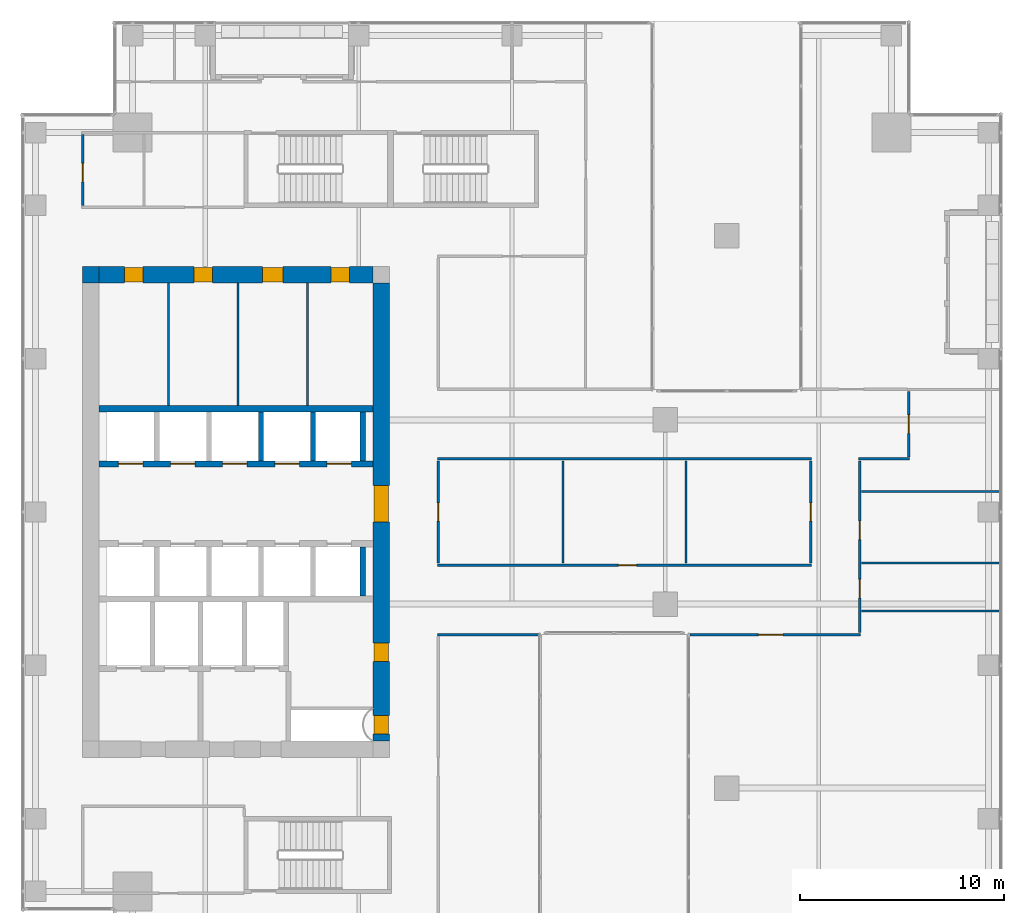
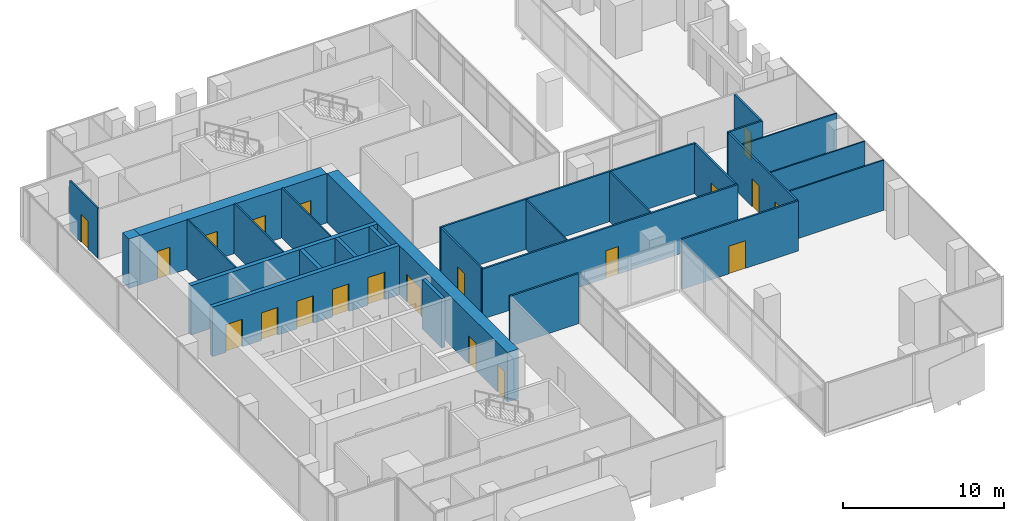
# One storey, part 35 of 40: 27 walls, 20 doors, 20 openings.
"""IFC4 building model written with IfcOpenShell, lengths in metres."""

import ifcopenshell
import ifcopenshell.guid

model = None  # the IFC model being written
_history = None  # IfcOwnerHistory: only IFC2X3 demands one
_inside = {}  # id of a spatial element -> (the spatial element, [elements in it])
_under = {}  # id of a project, library or spatial element -> (it, [spatial elements below it])
_declared = {}  # id of a project -> (the project, [libraries it declares])
_typed = {}  # id of a type object -> (the type object, [elements of that type])
_made_of = {}  # id of a material, layer set ... -> (it, [elements and type objects made of it])


def new_model(schema):
    """Start an empty IFC model of exactly this schema.

    Asked for "IFC4X3", IfcOpenShell would pick the latest addendum, in which some entities
    have other attributes; the version numbers below select the first issue.
    IFC2X3 requires an IfcOwnerHistory on every rooted entity: one is made here for all.
    """
    global model, _history
    if schema == "IFC4X3":
        model = ifcopenshell.file(schema_version=(4, 3, 0, 0))
    else:
        model = ifcopenshell.file(schema=schema)
    _inside.clear()
    _under.clear()
    _declared.clear()
    _typed.clear()
    _made_of.clear()
    _history = None
    if model.schema == "IFC2X3":
        org = make("IfcOrganization", Name="unknown")
        user = make(
            "IfcPersonAndOrganization",
            ThePerson=make("IfcPerson", FamilyName="unknown"),
            TheOrganization=org,
        )
        app = make(
            "IfcApplication",
            ApplicationDeveloper=org,
            Version="unknown",
            ApplicationFullName="unknown",
            ApplicationIdentifier="unknown",
        )
        _history = make(
            "IfcOwnerHistory",
            OwningUser=user,
            OwningApplication=app,
            ChangeAction="ADDED",
            CreationDate=0,
        )
    return model


def make(cls, **values):
    """One entity of the class cls with the attributes given. An attribute that is None is left unset."""
    return model.create_entity(
        cls, **{name: value for name, value in values.items() if value is not None}
    )


def rooted(cls, **values):
    """An entity with a GlobalId (a new one), such as an element, a storey or a relation."""
    return make(cls, GlobalId=ifcopenshell.guid.new(), OwnerHistory=_history, **values)


def si_unit(unit_type, name, prefix=None):
    """IfcSIUnit, for example si_unit("LENGTHUNIT", "METRE", prefix="MILLI")."""
    return make("IfcSIUnit", UnitType=unit_type, Prefix=prefix, Name=name)


def assignment(units):
    """IfcUnitAssignment: the units of a project."""
    return None if units is None else make("IfcUnitAssignment", Units=units)


def point(xyz):
    """IfcCartesianPoint."""
    return None if xyz is None else make("IfcCartesianPoint", Coordinates=xyz)


def direction(xyz):
    """IfcDirection."""
    return None if xyz is None else make("IfcDirection", DirectionRatios=xyz)


def frame(location, z_axis=None, x_axis=None):
    """IfcAxis2Placement3D, a coordinate frame: its origin and axes. An axis left out is left unset."""
    return make(
        "IfcAxis2Placement3D",
        Location=point(location),
        Axis=direction(z_axis),
        RefDirection=direction(x_axis),
    )


def frame_2d(location, x_axis=None):
    """IfcAxis2Placement2D, a coordinate frame in the plane: its origin and x axis."""
    return make(
        "IfcAxis2Placement2D", Location=point(location), RefDirection=direction(x_axis)
    )


def origin():
    """The frame at (0, 0, 0) with its axes left unset."""
    return frame((0.0, 0.0, 0.0))


def place(relative_to, where):
    """IfcLocalPlacement: puts the frame where relative to a parent placement (None: the world)."""
    return make(
        "IfcLocalPlacement", PlacementRelTo=relative_to, RelativePlacement=where
    )


def context(
    kind, dimensions, precision=None, world=None, true_north=None, identifier=None
):
    """IfcGeometricRepresentationContext, for example the 3D "Model" context."""
    return make(
        "IfcGeometricRepresentationContext",
        ContextIdentifier=identifier,
        ContextType=kind,
        CoordinateSpaceDimension=dimensions,
        Precision=precision,
        WorldCoordinateSystem=world,
        TrueNorth=true_north,
    )


def subcontext(parent, identifier, kind, view, scale=None):
    """IfcGeometricRepresentationSubContext, for example "Body" below "Model"."""
    return make(
        "IfcGeometricRepresentationSubContext",
        ContextIdentifier=identifier,
        ContextType=kind,
        ParentContext=parent,
        TargetScale=scale,
        TargetView=view,
    )


def project(units=None, contexts=None):
    """IfcProject with its units and contexts."""
    return rooted(
        "IfcProject",
        Name="project",
        RepresentationContexts=contexts,
        UnitsInContext=assignment(units),
    )


def spatial(cls, under=None, at=None, **own):
    """A site, building, storey or space (cls), placed at a placement, below another one or the project."""
    s = rooted(cls, ObjectPlacement=at, **own)
    if under is not None:
        _under.setdefault(under.id(), (under, []))[1].append(s)
    return s


def profile(cls, at=None, kind="AREA", **sizes):
    """A parametric profile (cls). Its sizes go by their IFC names, for example OverallWidth=200.0."""
    return make(cls, ProfileType=kind, Position=at, **sizes)


def rectangle(**sizes):
    """IfcRectangleProfileDef."""
    return profile("IfcRectangleProfileDef", **sizes)


def extrude(swept, where, along, depth):
    """IfcExtrudedAreaSolid: the profile swept, set in the frame where, extruded along a direction by depth."""
    return make(
        "IfcExtrudedAreaSolid",
        SweptArea=swept,
        Position=where,
        ExtrudedDirection=direction(along),
        Depth=depth,
    )


def shape(context_of_items, identifier, shape_type, items):
    """IfcShapeRepresentation: the items that make up one representation, for example the "Body"."""
    return make(
        "IfcShapeRepresentation",
        ContextOfItems=context_of_items,
        RepresentationIdentifier=identifier,
        RepresentationType=shape_type,
        Items=items,
    )


def source(mapping_origin, context_of_items, identifier, shape_type, items):
    """IfcRepresentationMap: a shape defined once, which mapped items show again and again."""
    return make(
        "IfcRepresentationMap",
        MappingOrigin=mapping_origin,
        MappedRepresentation=shape(context_of_items, identifier, shape_type, items),
    )


def transform(
    local_origin,
    x_axis=None,
    y_axis=None,
    z_axis=None,
    scale=None,
    scale2=None,
    scale3=None,
    uniform=True,
):
    """IfcCartesianTransformationOperator3D, or its non-uniform kind. x_axis, y_axis, z_axis: its Axis1, 2, 3."""
    if uniform:
        return make(
            "IfcCartesianTransformationOperator3D",
            Axis1=direction(x_axis),
            Axis2=direction(y_axis),
            LocalOrigin=point(local_origin),
            Scale=scale,
            Axis3=direction(z_axis),
        )
    return make(
        "IfcCartesianTransformationOperator3DnonUniform",
        Axis1=direction(x_axis),
        Axis2=direction(y_axis),
        LocalOrigin=point(local_origin),
        Scale=scale,
        Axis3=direction(z_axis),
        Scale2=scale2,
        Scale3=scale3,
    )


def mapped(mapping_source, mapping_target):
    """IfcMappedItem: shows the shape of a source again, moved by a transform."""
    return make(
        "IfcMappedItem", MappingSource=mapping_source, MappingTarget=mapping_target
    )


def material(Name=None, Category=None):
    """IfcMaterial."""
    return make("IfcMaterial", Name=Name, Category=Category)


def layer(
    of_material, thickness, ventilated=None, Name=None, Category=None, Priority=None
):
    """IfcMaterialLayer: one layer of a wall or slab, of a material (None: an air gap)."""
    return make(
        "IfcMaterialLayer",
        Material=of_material,
        LayerThickness=thickness,
        IsVentilated=ventilated,
        Name=Name,
        Category=Category,
        Priority=Priority,
    )


def layer_set(layers, Name=None):
    """IfcMaterialLayerSet."""
    return make("IfcMaterialLayerSet", MaterialLayers=layers, LayerSetName=Name)


def made_of(thing, what):
    """Note that an element or type object is made of a material, layer set ...; save() writes the relation."""
    if what is not None:
        _made_of.setdefault(what.id(), (what, []))[1].append(thing)
    return thing


def type_object(cls, material=None, **own):
    """A type object (cls), such as IfcWallType, which elements share."""
    return made_of(rooted(cls, **own), material)


def element(
    cls,
    number,
    at=None,
    inside=None,
    cuts=None,
    type_object=None,
    material=None,
    context=None,
    identifier="Body",
    shape_type=None,
    held_by="IfcProductDefinitionShape",
    body=None,
    shapes=None,
    **own,
):
    """One element of the class cls, such as IfcWall. Its Tag is "e" and its number.

    at: its placement. inside: the storey or other place that contains it. cuts: it is an
    opening in that element (IfcRelVoidsElement). A single representation is given by context,
    identifier, shape_type and body (its items); several are given by shapes. held_by: the class
    of the entity that holds the representations. save() writes the other relations.
    """
    e = rooted(cls, Tag="e%d" % number, ObjectPlacement=at, **own)
    if body is not None:
        shapes = [shape(context, identifier, shape_type, body)]
    if shapes is not None:
        e.Representation = make(held_by, Representations=shapes)
    if inside is not None:
        _inside.setdefault(inside.id(), (inside, []))[1].append(e)
    if cuts is not None:
        rooted(
            "IfcRelVoidsElement", RelatingBuildingElement=cuts, RelatedOpeningElement=e
        )
    if type_object is not None:
        _typed.setdefault(type_object.id(), (type_object, []))[1].append(e)
    return made_of(e, material)


def fill(opening, filler):
    """IfcRelFillsElement: the door or window that sits in an opening."""
    return rooted(
        "IfcRelFillsElement",
        RelatingOpeningElement=opening,
        RelatedBuildingElement=filler,
    )


def aggregate(whole, parts):
    """IfcRelAggregates: a whole, such as a stair, and the parts it consists of."""
    return rooted("IfcRelAggregates", RelatingObject=whole, RelatedObjects=parts)


def save(model, path):
    """Write the relations noted so far, then the file.

    IfcRelAggregates (storeys below a building ...), IfcRelContainedInSpatialStructure (elements
    in a storey), IfcRelDefinesByType, IfcRelAssociatesMaterial and IfcRelDeclares: one each for
    every whole, place, type object, material and project.
    """
    for whole, parts in _under.values():
        aggregate(whole, parts)
    for where, things in _inside.values():
        rooted(
            "IfcRelContainedInSpatialStructure",
            RelatedElements=things,
            RelatingStructure=where,
        )
    for kind, things in _typed.values():
        rooted("IfcRelDefinesByType", RelatedObjects=things, RelatingType=kind)
    for what, things in _made_of.values():
        rooted("IfcRelAssociatesMaterial", RelatedObjects=things, RelatingMaterial=what)
    for by, libraries in _declared.values():
        rooted("IfcRelDeclares", RelatingContext=by, RelatedDefinitions=libraries)
    model.write(path)


model = new_model("IFC4")

# Units and contexts
model_context = context("Model", 3, precision=1e-05, world=origin(), true_north=direction((0.0, 1.0)))
body_context = subcontext(model_context, "Body", "Model", "MODEL_VIEW")
ifc_project = project(units=[si_unit("LENGTHUNIT", "METRE"), si_unit("AREAUNIT", "SQUARE_METRE"), si_unit("VOLUMEUNIT", "CUBIC_METRE"), si_unit("PLANEANGLEUNIT", "RADIAN"), si_unit("MASSUNIT", "GRAM", prefix="KILO")], contexts=[model_context])

# Site, building, storey
site_placement = place(None, origin())
site = spatial("IfcSite", under=ifc_project, at=site_placement, CompositionType="ELEMENT")
building_placement = place(site_placement, origin())
building = spatial("IfcBuilding", under=site, at=building_placement, Name="Khomas Fold Tower", CompositionType="ELEMENT")
storey_placement = place(building_placement, frame((0.0, 0.0, 184.699951171875)))
storey = spatial("IfcBuildingStorey", under=building, at=storey_placement, Name="L40", CompositionType="ELEMENT", Elevation=184.699951171875)

# Wall, openings, doors
ifc_material_1 = material(Name="Concrete C60/75", Category="concrete")
ifc_layer_1 = layer(ifc_material_1, 0.800048828125)
ifc_layer_set_1 = layer_set([ifc_layer_1], Name="Concrete C60/75")
wall_type_1 = type_object("IfcWallType", Name="Core wall 800", PredefinedType="SHEAR", material=ifc_layer_set_1)
shared_shape_1 = source(origin(), body_context, "Body", "SweptSolid", [
    extrude(rectangle(XDim=13.39990234375, YDim=0.800048828125, at=frame_2d((6.699951171875, 0.0))), origin(), (0.0, 0.0, 1.0), 3.75),
])
wall_1_placement = place(storey_placement, frame((6.800048828125, 38.60009765625, 0.0), z_axis=(0.0, 0.0, 1.0), x_axis=(1.0, 0.0, 0.0)))
wall_1 = element("IfcWall", 1, at=wall_1_placement, inside=storey, type_object=wall_type_1, Name="Core wall CW-U-N-L35", PredefinedType="SHEAR", context=body_context, shape_type="MappedRepresentation", body=[
    mapped(shared_shape_1, transform((0.0, 0.0, 0.0))),
])
shared_shape_2 = source(origin(), body_context, "Body", "SweptSolid", [
    extrude(rectangle(XDim=0.89990234375, YDim=2.10009765625, at=frame_2d((0.449951171875, 1.050048828125))), frame((0.0, 0.409912109375, 0.0), z_axis=(0.0, -1.0, 0.0), x_axis=(1.0, 0.0, 0.0)), (0.0, 0.0, 1.0), 0.820068359375),
])
opening_1_placement = place(wall_1_placement, frame((1.25, 0.0, 0.0)))
opening_1 = element("IfcOpeningElement", 2, at=opening_1_placement, cuts=wall_1, Name="Opening 0004", PredefinedType="OPENING", context=body_context, shape_type="MappedRepresentation", body=[
    mapped(shared_shape_2, transform((0.0, 0.0, 0.0))),
])
opening_2_placement = place(wall_1_placement, frame((4.64990234375, 0.0, 0.0)))
opening_2 = element("IfcOpeningElement", 3, at=opening_2_placement, cuts=wall_1, Name="Opening 0004", PredefinedType="OPENING", context=body_context, shape_type="MappedRepresentation", body=[
    mapped(shared_shape_2, transform((0.0, 0.0, 0.0))),
])
shared_shape_3 = source(origin(), body_context, "Body", "SweptSolid", [
    extrude(rectangle(XDim=1.0, YDim=2.10009765625, at=frame_2d((0.5, 1.050048828125))), frame((0.0, 0.409912109375, 0.0), z_axis=(0.0, -1.0, 0.0), x_axis=(1.0, 0.0, 0.0)), (0.0, 0.0, 1.0), 0.820068359375),
])
opening_3_placement = place(wall_1_placement, frame((8.0, 0.0, 0.0)))
opening_3 = element("IfcOpeningElement", 4, at=opening_3_placement, cuts=wall_1, Name="Opening 0006", PredefinedType="OPENING", context=body_context, shape_type="MappedRepresentation", body=[
    mapped(shared_shape_3, transform((0.0, 0.0, 0.0))),
])
opening_4_placement = place(wall_1_placement, frame((11.35009765625, 0.0, 0.0)))
opening_4 = element("IfcOpeningElement", 5, at=opening_4_placement, cuts=wall_1, Name="Opening 0008", PredefinedType="OPENING", context=body_context, shape_type="MappedRepresentation", body=[
    mapped(shared_shape_2, transform((0.0, 0.0, 0.0))),
])
ifc_material_2 = material(Name="Timber door leaf", Category="wood")
door_type_1 = type_object("IfcDoorType", Name="WC door 900x2100 right-hand", OperationType="SINGLE_SWING_RIGHT", PredefinedType="DOOR", material=ifc_material_2)
shared_shape_4 = source(origin(), body_context, "Body", "SweptSolid", [
    extrude(rectangle(XDim=0.89990234375, YDim=2.10009765625, at=frame_2d((0.449951171875, 1.050048828125))), frame((0.0, 0.35009765625, 0.0), z_axis=(0.0, -1.0, 0.0), x_axis=(1.0, 0.0, 0.0)), (0.0, 0.0, 1.0), 0.699951171875),
])
door_1_placement = place(opening_1_placement, origin())
door_1 = element("IfcDoor", 6, at=door_1_placement, inside=storey, type_object=door_type_1, Name="WC door", OperationType="SINGLE_SWING_RIGHT", OverallHeight=2.10009765625, OverallWidth=0.89990234375, PredefinedType="DOOR", context=body_context, shape_type="MappedRepresentation", body=[
    mapped(shared_shape_4, transform((0.0, 0.0, 0.0))),
])
fill(opening_1, door_1)
door_2_placement = place(opening_2_placement, origin())
door_2 = element("IfcDoor", 7, at=door_2_placement, inside=storey, type_object=door_type_1, Name="WC door", OperationType="SINGLE_SWING_RIGHT", OverallHeight=2.10009765625, OverallWidth=0.89990234375, PredefinedType="DOOR", context=body_context, shape_type="MappedRepresentation", body=[
    mapped(shared_shape_4, transform((0.0, 0.0, 0.0))),
])
fill(opening_2, door_2)
ifc_material_3 = material(Name="Timber door leaf", Category="wood")
door_type_2 = type_object("IfcDoorType", Name="Door 900x2100 right-hand", OperationType="SINGLE_SWING_RIGHT", PredefinedType="DOOR", material=ifc_material_3)
door_3_placement = place(opening_4_placement, origin())
door_3 = element("IfcDoor", 8, at=door_3_placement, inside=storey, type_object=door_type_2, Name="Door", OperationType="SINGLE_SWING_RIGHT", OverallHeight=2.10009765625, OverallWidth=0.89990234375, PredefinedType="DOOR", context=body_context, shape_type="MappedRepresentation", body=[
    mapped(shared_shape_4, transform((0.0, 0.0, 0.0))),
])
fill(opening_4, door_3)
ifc_material_4 = material(Name="Timber door leaf", Category="wood")
door_type_3 = type_object("IfcDoorType", Name="WC door 1000x2100 right-hand", OperationType="SINGLE_SWING_RIGHT", PredefinedType="DOOR", material=ifc_material_4)
shared_shape_5 = source(origin(), body_context, "Body", "SweptSolid", [
    extrude(rectangle(XDim=1.0, YDim=2.10009765625, at=frame_2d((0.5, 1.050048828125))), frame((0.0, 0.35009765625, 0.0), z_axis=(0.0, -1.0, 0.0), x_axis=(1.0, 0.0, 0.0)), (0.0, 0.0, 1.0), 0.699951171875),
])
door_4_placement = place(opening_3_placement, origin())
door_4 = element("IfcDoor", 9, at=door_4_placement, inside=storey, type_object=door_type_3, Name="WC door", OperationType="SINGLE_SWING_RIGHT", OverallHeight=2.10009765625, OverallWidth=1.0, PredefinedType="DOOR", context=body_context, shape_type="MappedRepresentation", body=[
    mapped(shared_shape_5, transform((0.0, 0.0, 0.0))),
])
fill(opening_3, door_4)

# Wall
ifc_material_5 = material(Name="Concrete C60/75", Category="concrete")
ifc_layer_2 = layer(ifc_material_5, 0.800048828125)
ifc_layer_set_2 = layer_set([ifc_layer_2], Name="Concrete C60/75")
wall_type_2 = type_object("IfcWallType", Name="Core corner wall 800", PredefinedType="SHEAR", material=ifc_layer_set_2)
shared_shape_6 = source(origin(), body_context, "Body", "SweptSolid", [
    extrude(rectangle(XDim=0.800048828125, YDim=0.800048828125, at=frame_2d((0.39990234375, 0.0))), origin(), (0.0, 0.0, 1.0), 3.75),
])
wall_2_placement = place(storey_placement, frame((6.0, 38.60009765625, 0.0), z_axis=(0.0, 0.0, 1.0), x_axis=(1.0, 0.0, 0.0)))
element("IfcWall", 10, at=wall_2_placement, inside=storey, type_object=wall_type_2, Name="Core wall CW-U-NW-L35", PredefinedType="SHEAR", context=body_context, shape_type="MappedRepresentation", body=[
    mapped(shared_shape_6, transform((0.0, 0.0, 0.0))),
])

# Wall, openings, doors
shared_shape_7 = source(origin(), body_context, "Body", "SweptSolid", [
    extrude(rectangle(XDim=22.39990234375, YDim=0.800048828125, at=frame_2d((11.199951171875, 0.0))), origin(), (0.0, 0.0, 1.0), 3.75),
])
wall_3_placement = place(storey_placement, frame((20.60009765625, 15.800048828125, 0.0), z_axis=(0.0, 0.0, 1.0), x_axis=(0.0, 1.0, 0.0)))
wall_3 = element("IfcWall", 11, at=wall_3_placement, inside=storey, type_object=wall_type_1, Name="Core wall CW-U-E-L35", PredefinedType="SHEAR", context=body_context, shape_type="MappedRepresentation", body=[
    mapped(shared_shape_7, transform((0.0, 0.0, 0.0))),
])
shared_shape_8 = source(origin(), body_context, "Body", "SweptSolid", [
    extrude(rectangle(XDim=1.800048828125, YDim=2.10009765625, at=frame_2d((0.89990234375, 1.050048828125))), frame((0.0, 0.409912109375, 0.0), z_axis=(0.0, -1.0, 0.0), x_axis=(1.0, 0.0, 0.0)), (0.0, 0.0, 1.0), 0.820068359375),
])
opening_5_placement = place(wall_3_placement, frame((10.699951171875, 0.0, 0.0)))
opening_5 = element("IfcOpeningElement", 12, at=opening_5_placement, cuts=wall_3, Name="Opening 0015", PredefinedType="OPENING", context=body_context, shape_type="MappedRepresentation", body=[
    mapped(shared_shape_8, transform((0.0, 0.0, 0.0))),
])
opening_6_placement = place(wall_3_placement, frame((0.35009765625, 0.0, 0.0)))
opening_6 = element("IfcOpeningElement", 13, at=opening_6_placement, cuts=wall_3, Name="Opening 0003", PredefinedType="OPENING", context=body_context, shape_type="MappedRepresentation", body=[
    mapped(shared_shape_2, transform((0.0, 0.0, 0.0))),
])
opening_7_placement = place(wall_3_placement, frame((3.89990234375, 0.0, 0.0)))
opening_7 = element("IfcOpeningElement", 14, at=opening_7_placement, cuts=wall_3, Name="Opening 0008", PredefinedType="OPENING", context=body_context, shape_type="MappedRepresentation", body=[
    mapped(shared_shape_2, transform((0.0, 0.0, 0.0))),
])
ifc_material_6 = material(Name="Steel door leaf", Category="steel")
door_type_4 = type_object("IfcDoorType", Name="Lobby door 1800x2100", OperationType="DOUBLE_DOOR_SINGLE_SWING", PredefinedType="DOOR", material=ifc_material_6)
shared_shape_9 = source(origin(), body_context, "Body", "SweptSolid", [
    extrude(rectangle(XDim=1.800048828125, YDim=2.10009765625, at=frame_2d((0.89990234375, 1.050048828125))), frame((0.0, 0.35009765625, 0.0), z_axis=(0.0, -1.0, 0.0), x_axis=(1.0, 0.0, 0.0)), (0.0, 0.0, 1.0), 0.699951171875),
])
door_5_placement = place(opening_5_placement, origin())
door_5 = element("IfcDoor", 15, at=door_5_placement, inside=storey, type_object=door_type_4, Name="Lobby door", OperationType="DOUBLE_DOOR_SINGLE_SWING", OverallHeight=2.10009765625, OverallWidth=1.800048828125, PredefinedType="DOOR", context=body_context, shape_type="MappedRepresentation", body=[
    mapped(shared_shape_9, transform((0.0, 0.0, 0.0))),
])
fill(opening_5, door_5)
ifc_material_7 = material(Name="Steel door leaf", Category="steel")
door_type_5 = type_object("IfcDoorType", Name="Plant room door 900x2100 right-hand", OperationType="SINGLE_SWING_RIGHT", PredefinedType="DOOR", material=ifc_material_7)
door_6_placement = place(opening_6_placement, origin())
door_6 = element("IfcDoor", 16, at=door_6_placement, inside=storey, type_object=door_type_5, Name="Plant room door", OperationType="SINGLE_SWING_RIGHT", OverallHeight=2.10009765625, OverallWidth=0.89990234375, PredefinedType="DOOR", context=body_context, shape_type="MappedRepresentation", body=[
    mapped(shared_shape_4, transform((0.0, 0.0, 0.0))),
])
fill(opening_6, door_6)
door_7_placement = place(opening_7_placement, origin())
door_7 = element("IfcDoor", 17, at=door_7_placement, inside=storey, type_object=door_type_2, Name="Door", OperationType="SINGLE_SWING_RIGHT", OverallHeight=2.10009765625, OverallWidth=0.89990234375, PredefinedType="DOOR", context=body_context, shape_type="MappedRepresentation", body=[
    mapped(shared_shape_4, transform((0.0, 0.0, 0.0))),
])
fill(opening_7, door_7)

# Wall
ifc_material_8 = material(Name="Concrete C50/60", Category="concrete")
ifc_layer_3 = layer(ifc_material_8, 0.300048828125)
ifc_layer_set_3 = layer_set([ifc_layer_3], Name="Concrete C50/60")
wall_type_3 = type_object("IfcWallType", Name="Shaft wall 300", PredefinedType="STANDARD", material=ifc_layer_set_3)
shared_shape_10 = source(origin(), body_context, "Body", "SweptSolid", [
    extrude(rectangle(XDim=13.39990234375, YDim=0.300048828125, at=frame_2d((6.699951171875, 0.0))), origin(), (0.0, 0.0, 1.0), 3.75),
])
wall_4_placement = place(storey_placement, frame((6.800048828125, 32.050048828125, 0.0), z_axis=(0.0, 0.0, 1.0), x_axis=(1.0, 0.0, 0.0)))
element("IfcWall", 18, at=wall_4_placement, inside=storey, type_object=wall_type_3, Name="Core wall SW-HRN-B", PredefinedType="STANDARD", context=body_context, shape_type="MappedRepresentation", body=[
    mapped(shared_shape_10, transform((0.0, 0.0, 0.0))),
])

# Wall, openings, doors
wall_5_placement = place(storey_placement, frame((6.800048828125, 29.35009765625, 0.0), z_axis=(0.0, 0.0, 1.0), x_axis=(1.0, 0.0, 0.0)))
wall_5 = element("IfcWall", 19, at=wall_5_placement, inside=storey, type_object=wall_type_3, Name="Core wall SW-HRN-F", PredefinedType="STANDARD", context=body_context, shape_type="MappedRepresentation", body=[
    mapped(shared_shape_10, transform((0.0, 0.0, 0.0))),
])
shared_shape_11 = source(origin(), body_context, "Body", "SweptSolid", [
    extrude(rectangle(XDim=1.199951171875, YDim=2.10009765625, at=frame_2d((0.60009765625, 1.050048828125))), frame((0.0, 0.159912109375, 0.0), z_axis=(0.0, -1.0, 0.0), x_axis=(1.0, 0.0, 0.0)), (0.0, 0.0, 1.0), 0.320068359375),
])
opening_8_placement = place(wall_5_placement, frame((0.949951171875, 0.0, 0.0)))
opening_8 = element("IfcOpeningElement", 20, at=opening_8_placement, cuts=wall_5, Name="Opening LD-HR4", PredefinedType="OPENING", context=body_context, shape_type="MappedRepresentation", body=[
    mapped(shared_shape_11, transform((0.0, 0.0, 0.0))),
])
opening_9_placement = place(wall_5_placement, frame((3.5, 0.0, 0.0)))
opening_9 = element("IfcOpeningElement", 21, at=opening_9_placement, cuts=wall_5, Name="Opening LD-HR5", PredefinedType="OPENING", context=body_context, shape_type="MappedRepresentation", body=[
    mapped(shared_shape_11, transform((0.0, 0.0, 0.0))),
])
opening_10_placement = place(wall_5_placement, frame((6.050048828125, 0.0, 0.0)))
opening_10 = element("IfcOpeningElement", 22, at=opening_10_placement, cuts=wall_5, Name="Opening LD-HR6", PredefinedType="OPENING", context=body_context, shape_type="MappedRepresentation", body=[
    mapped(shared_shape_11, transform((0.0, 0.0, 0.0))),
])
opening_11_placement = place(wall_5_placement, frame((8.60009765625, 0.0, 0.0)))
opening_11 = element("IfcOpeningElement", 23, at=opening_11_placement, cuts=wall_5, Name="Opening LD-MR3", PredefinedType="OPENING", context=body_context, shape_type="MappedRepresentation", body=[
    mapped(shared_shape_11, transform((0.0, 0.0, 0.0))),
])
opening_12_placement = place(wall_5_placement, frame((11.14990234375, 0.0, 0.0)))
opening_12 = element("IfcOpeningElement", 24, at=opening_12_placement, cuts=wall_5, Name="Opening LD-MR4", PredefinedType="OPENING", context=body_context, shape_type="MappedRepresentation", body=[
    mapped(shared_shape_11, transform((0.0, 0.0, 0.0))),
])
ifc_material_9 = material(Name="Steel door leaf", Category="steel")
door_type_6 = type_object("IfcDoorType", Name="Landing door 1200x2100", OperationType="DOUBLE_DOOR_SLIDING", PredefinedType="DOOR", material=ifc_material_9)
shared_shape_12 = source(origin(), body_context, "Body", "SweptSolid", [
    extrude(rectangle(XDim=1.199951171875, YDim=2.10009765625, at=frame_2d((0.60009765625, 1.050048828125))), frame((0.0, 0.02490234375, 0.0), z_axis=(0.0, -1.0, 0.0), x_axis=(1.0, 0.0, 0.0)), (0.0, 0.0, 1.0), 0.050048828125),
])
door_8_placement = place(opening_8_placement, origin())
door_8 = element("IfcDoor", 25, at=door_8_placement, inside=storey, type_object=door_type_6, Name="Lift landing door", OperationType="DOUBLE_DOOR_SLIDING", OverallHeight=2.10009765625, OverallWidth=1.199951171875, PredefinedType="DOOR", context=body_context, shape_type="MappedRepresentation", body=[
    mapped(shared_shape_12, transform((0.0, 0.0, 0.0))),
])
fill(opening_8, door_8)
door_9_placement = place(opening_9_placement, origin())
door_9 = element("IfcDoor", 26, at=door_9_placement, inside=storey, type_object=door_type_6, Name="Lift landing door", OperationType="DOUBLE_DOOR_SLIDING", OverallHeight=2.10009765625, OverallWidth=1.199951171875, PredefinedType="DOOR", context=body_context, shape_type="MappedRepresentation", body=[
    mapped(shared_shape_12, transform((0.0, 0.0, 0.0))),
])
fill(opening_9, door_9)
door_10_placement = place(opening_10_placement, origin())
door_10 = element("IfcDoor", 27, at=door_10_placement, inside=storey, type_object=door_type_6, Name="Lift landing door", OperationType="DOUBLE_DOOR_SLIDING", OverallHeight=2.10009765625, OverallWidth=1.199951171875, PredefinedType="DOOR", context=body_context, shape_type="MappedRepresentation", body=[
    mapped(shared_shape_12, transform((0.0, 0.0, 0.0))),
])
fill(opening_10, door_10)
door_11_placement = place(opening_11_placement, origin())
door_11 = element("IfcDoor", 28, at=door_11_placement, inside=storey, type_object=door_type_6, Name="Lift landing door", OperationType="DOUBLE_DOOR_SLIDING", OverallHeight=2.10009765625, OverallWidth=1.199951171875, PredefinedType="DOOR", context=body_context, shape_type="MappedRepresentation", body=[
    mapped(shared_shape_12, transform((0.0, 0.0, 0.0))),
])
fill(opening_11, door_11)
door_12_placement = place(opening_12_placement, origin())
door_12 = element("IfcDoor", 29, at=door_12_placement, inside=storey, type_object=door_type_6, Name="Lift landing door", OperationType="DOUBLE_DOOR_SLIDING", OverallHeight=2.10009765625, OverallWidth=1.199951171875, PredefinedType="DOOR", context=body_context, shape_type="MappedRepresentation", body=[
    mapped(shared_shape_12, transform((0.0, 0.0, 0.0))),
])
fill(opening_12, door_12)

# Walls
ifc_material_10 = material(Name="Concrete C50/60", Category="concrete")
ifc_layer_4 = layer(ifc_material_10, 0.25)
ifc_layer_set_4 = layer_set([ifc_layer_4], Name="Concrete C50/60")
wall_type_4 = type_object("IfcWallType", Name="Shaft wall 250", PredefinedType="STANDARD", material=ifc_layer_set_4)
shared_shape_13 = source(origin(), body_context, "Body", "SweptSolid", [
    extrude(rectangle(XDim=2.39990234375, YDim=0.25, at=frame_2d((1.199951171875, 0.0))), origin(), (0.0, 0.0, 1.0), 3.75),
])
for number, where, z_axis, x_axis, name in (
    (30, (17.27490234375, 29.5, 0.0), (0.0, 0.0, 1.0), (0.0, 1.0, 0.0), "Core wall SW-HRN-MR-P1"),
    (31, (19.699951171875, 29.5, 0.0), (0.0, 0.0, 1.0), (0.0, 1.0, 0.0), "Core wall SW-HRN-MR-PE"),
    (32, (14.72509765625, 29.5, 0.0), (0.0, 0.0, 1.0), (0.0, 1.0, 0.0), "Core wall SW-HRN-PE"),
):
    element("IfcWall", number, at=place(storey_placement, frame(where, z_axis=z_axis, x_axis=x_axis)), inside=storey, type_object=wall_type_4, Name=name, PredefinedType="STANDARD", context=body_context, shape_type="MappedRepresentation", body=[
        mapped(shared_shape_13, transform((0.0, 0.0, 0.0))),
    ])
shared_shape_14 = source(origin(), body_context, "Body", "SweptSolid", [
    extrude(rectangle(XDim=2.400146484375, YDim=0.25, at=frame_2d((1.2001953125, 0.0))), origin(), (0.0, 0.0, 1.0), 3.75),
])
wall_6_placement = place(storey_placement, frame((19.699951171875, 22.89990234375, 0.0), z_axis=(0.0, 0.0, 1.0), x_axis=(0.0, 1.0, 0.0)))
element("IfcWall", 33, at=wall_6_placement, inside=storey, type_object=wall_type_4, Name="Core wall SW-HRS-MR-PE", PredefinedType="STANDARD", context=body_context, shape_type="MappedRepresentation", body=[
    mapped(shared_shape_14, transform((0.0, 0.0, 0.0))),
])

# Wall, openings, doors
ifc_material_11 = material(Name="Plasterboard partition")
ifc_layer_5 = layer(ifc_material_11, 0.125)
ifc_layer_set_5 = layer_set([ifc_layer_5], Name="Plasterboard partition")
wall_type_5 = type_object("IfcWallType", Name="Partition PW2 125", PredefinedType="PARTITIONING", material=ifc_layer_set_5)
shared_shape_15 = source(origin(), body_context, "Body", "SweptSolid", [
    extrude(rectangle(XDim=8.39990234375, YDim=0.125, at=frame_2d((4.199951171875, 0.0))), origin(), (0.0, 0.0, 1.0), 3.800048828125),
])
wall_7_placement = place(storey_placement, frame((44.0, 21.10009765625, 0.0), z_axis=(0.0, 0.0, 1.0), x_axis=(0.0, 1.0, 0.0)))
wall_7 = element("IfcWall", 34, at=wall_7_placement, inside=storey, type_object=wall_type_5, Name="Partition", PredefinedType="PARTITIONING", context=body_context, shape_type="MappedRepresentation", body=[
    mapped(shared_shape_15, transform((0.0, 0.0, 0.0))),
])
shared_shape_16 = source(origin(), body_context, "Body", "SweptSolid", [
    extrude(rectangle(XDim=0.89990234375, YDim=2.10009765625, at=frame_2d((0.449951171875, 1.050048828125))), frame((0.0, 0.072509765625, 0.0), z_axis=(0.0, -1.0, 0.0), x_axis=(1.0, 0.0, 0.0)), (0.0, 0.0, 1.0), 0.14501953125),
])
opening_13_placement = place(wall_7_placement, frame((1.699951171875, 0.0, 0.0)))
opening_13 = element("IfcOpeningElement", 35, at=opening_13_placement, cuts=wall_7, Name="Opening 0007", PredefinedType="OPENING", context=body_context, shape_type="MappedRepresentation", body=[
    mapped(shared_shape_16, transform((0.0, 0.0, 0.0))),
])
opening_14_placement = place(wall_7_placement, frame((4.550048828125, 0.0, 0.0)))
opening_14 = element("IfcOpeningElement", 36, at=opening_14_placement, cuts=wall_7, Name="Opening 0007", PredefinedType="OPENING", context=body_context, shape_type="MappedRepresentation", body=[
    mapped(shared_shape_16, transform((0.0, 0.0, 0.0))),
])
ifc_material_12 = material(Name="Timber door leaf", Category="wood")
door_type_7 = type_object("IfcDoorType", Name="Door 900x2100 left-hand", OperationType="SINGLE_SWING_LEFT", PredefinedType="DOOR", material=ifc_material_12)
shared_shape_17 = source(origin(), body_context, "Body", "SweptSolid", [
    extrude(rectangle(XDim=0.89990234375, YDim=2.10009765625, at=frame_2d((0.449951171875, 1.050048828125))), frame((0.0, 0.02490234375, 0.0), z_axis=(0.0, -1.0, 0.0), x_axis=(1.0, 0.0, 0.0)), (0.0, 0.0, 1.0), 0.050048828125),
])
door_13_placement = place(opening_13_placement, origin())
door_13 = element("IfcDoor", 37, at=door_13_placement, inside=storey, type_object=door_type_7, Name="Door", OperationType="SINGLE_SWING_LEFT", OverallHeight=2.10009765625, OverallWidth=0.89990234375, PredefinedType="DOOR", context=body_context, shape_type="MappedRepresentation", body=[
    mapped(shared_shape_17, transform((0.0, 0.0, 0.0))),
])
fill(opening_13, door_13)
door_14_placement = place(opening_14_placement, origin())
door_14 = element("IfcDoor", 38, at=door_14_placement, inside=storey, type_object=door_type_7, Name="Door", OperationType="SINGLE_SWING_LEFT", OverallHeight=2.10009765625, OverallWidth=0.89990234375, PredefinedType="DOOR", context=body_context, shape_type="MappedRepresentation", body=[
    mapped(shared_shape_17, transform((0.0, 0.0, 0.0))),
])
fill(opening_14, door_14)

# Wall, opening, door
shared_shape_18 = source(origin(), body_context, "Body", "SweptSolid", [
    extrude(rectangle(XDim=18.2998046875, YDim=0.125, at=frame_2d((9.14990234375, 0.0))), origin(), (0.0, 0.0, 1.0), 3.800048828125),
])
wall_8_placement = place(storey_placement, frame((23.35009765625, 24.39990234375, 0.0), z_axis=(0.0, 0.0, 1.0), x_axis=(1.0, 0.0, 0.0)))
wall_8 = element("IfcWall", 39, at=wall_8_placement, inside=storey, type_object=wall_type_5, Name="Partition", PredefinedType="PARTITIONING", context=body_context, shape_type="MappedRepresentation", body=[
    mapped(shared_shape_18, transform((0.0, 0.0, 0.0))),
])
opening_15_placement = place(wall_8_placement, frame((8.85009765625, 0.0, 0.0)))
opening_15 = element("IfcOpeningElement", 40, at=opening_15_placement, cuts=wall_8, Name="Opening 0007", PredefinedType="OPENING", context=body_context, shape_type="MappedRepresentation", body=[
    mapped(shared_shape_16, transform((0.0, 0.0, 0.0))),
])
door_15_placement = place(opening_15_placement, origin())
door_15 = element("IfcDoor", 41, at=door_15_placement, inside=storey, type_object=door_type_7, Name="Door", OperationType="SINGLE_SWING_LEFT", OverallHeight=2.10009765625, OverallWidth=0.89990234375, PredefinedType="DOOR", context=body_context, shape_type="MappedRepresentation", body=[
    mapped(shared_shape_17, transform((0.0, 0.0, 0.0))),
])
fill(opening_15, door_15)

# Wall
wall_9_placement = place(storey_placement, frame((23.35009765625, 29.60009765625, 0.0), z_axis=(0.0, 0.0, 1.0), x_axis=(1.0, 0.0, 0.0)))
element("IfcWall", 42, at=wall_9_placement, inside=storey, type_object=wall_type_5, Name="Partition", PredefinedType="PARTITIONING", context=body_context, shape_type="MappedRepresentation", body=[
    mapped(shared_shape_18, transform((0.0, 0.0, 0.0))),
])

# Wall, opening, door
shared_shape_19 = source(origin(), body_context, "Body", "SweptSolid", [
    extrude(rectangle(XDim=5.0, YDim=0.125, at=frame_2d((2.5, 0.0))), origin(), (0.0, 0.0, 1.0), 3.800048828125),
])
wall_10_placement = place(storey_placement, frame((23.39990234375, 24.5, 0.0), z_axis=(0.0, 0.0, 1.0), x_axis=(0.0, 1.0, 0.0)))
wall_10 = element("IfcWall", 43, at=wall_10_placement, inside=storey, type_object=wall_type_5, Name="Partition", PredefinedType="PARTITIONING", context=body_context, shape_type="MappedRepresentation", body=[
    mapped(shared_shape_19, transform((0.0, 0.0, 0.0))),
])
opening_16_placement = place(wall_10_placement, frame((2.050048828125, 0.0, 0.0)))
opening_16 = element("IfcOpeningElement", 44, at=opening_16_placement, cuts=wall_10, Name="Opening 0008", PredefinedType="OPENING", context=body_context, shape_type="MappedRepresentation", body=[
    mapped(shared_shape_16, transform((0.0, 0.0, 0.0))),
])
door_16_placement = place(opening_16_placement, origin())
door_16 = element("IfcDoor", 45, at=door_16_placement, inside=storey, type_object=door_type_2, Name="Door", OperationType="SINGLE_SWING_RIGHT", OverallHeight=2.10009765625, OverallWidth=0.89990234375, PredefinedType="DOOR", context=body_context, shape_type="MappedRepresentation", body=[
    mapped(shared_shape_17, transform((0.0, 0.0, 0.0))),
])
fill(opening_16, door_16)

wall_11_placement = place(storey_placement, frame((41.60009765625, 24.5, 0.0), z_axis=(0.0, 0.0, 1.0), x_axis=(0.0, 1.0, 0.0)))
wall_11 = element("IfcWall", 46, at=wall_11_placement, inside=storey, type_object=wall_type_5, Name="Partition", PredefinedType="PARTITIONING", context=body_context, shape_type="MappedRepresentation", body=[
    mapped(shared_shape_19, transform((0.0, 0.0, 0.0))),
])
opening_17_placement = place(wall_11_placement, frame((2.050048828125, 0.0, 0.0)))
opening_17 = element("IfcOpeningElement", 47, at=opening_17_placement, cuts=wall_11, Name="Opening 0007", PredefinedType="OPENING", context=body_context, shape_type="MappedRepresentation", body=[
    mapped(shared_shape_16, transform((0.0, 0.0, 0.0))),
])
door_17_placement = place(opening_17_placement, origin())
door_17 = element("IfcDoor", 48, at=door_17_placement, inside=storey, type_object=door_type_7, Name="Door", OperationType="SINGLE_SWING_LEFT", OverallHeight=2.10009765625, OverallWidth=0.89990234375, PredefinedType="DOOR", context=body_context, shape_type="MappedRepresentation", body=[
    mapped(shared_shape_17, transform((0.0, 0.0, 0.0))),
])
fill(opening_17, door_17)

# Wall
shared_shape_20 = source(origin(), body_context, "Body", "SweptSolid", [
    extrude(rectangle(XDim=2.5, YDim=0.125, at=frame_2d((1.25, 0.0))), origin(), (0.0, 0.0, 1.0), 3.800048828125),
])
wall_12_placement = place(storey_placement, frame((43.949951171875, 29.60009765625, 0.0), z_axis=(0.0, 0.0, 1.0), x_axis=(1.0, 0.0, 0.0)))
element("IfcWall", 49, at=wall_12_placement, inside=storey, type_object=wall_type_5, Name="Partition", PredefinedType="PARTITIONING", context=body_context, shape_type="MappedRepresentation", body=[
    mapped(shared_shape_20, transform((0.0, 0.0, 0.0))),
])

# Wall, opening, door
shared_shape_21 = source(origin(), body_context, "Body", "SweptSolid", [
    extrude(rectangle(XDim=3.199951171875, YDim=0.125, at=frame_2d((1.60009765625, 0.0))), origin(), (0.0, 0.0, 1.0), 3.800048828125),
])
wall_13_placement = place(storey_placement, frame((46.39990234375, 29.699951171875, 0.0), z_axis=(0.0, 0.0, 1.0), x_axis=(0.0, 1.0, 0.0)))
wall_13 = element("IfcWall", 50, at=wall_13_placement, inside=storey, type_object=wall_type_5, Name="Partition", PredefinedType="PARTITIONING", context=body_context, shape_type="MappedRepresentation", body=[
    mapped(shared_shape_21, transform((0.0, 0.0, 0.0))),
])
opening_18_placement = place(wall_13_placement, frame((1.14990234375, 0.0, 0.0)))
opening_18 = element("IfcOpeningElement", 51, at=opening_18_placement, cuts=wall_13, Name="Opening 0007", PredefinedType="OPENING", context=body_context, shape_type="MappedRepresentation", body=[
    mapped(shared_shape_16, transform((0.0, 0.0, 0.0))),
])
door_18_placement = place(opening_18_placement, origin())
door_18 = element("IfcDoor", 52, at=door_18_placement, inside=storey, type_object=door_type_7, Name="Door", OperationType="SINGLE_SWING_LEFT", OverallHeight=2.10009765625, OverallWidth=0.89990234375, PredefinedType="DOOR", context=body_context, shape_type="MappedRepresentation", body=[
    mapped(shared_shape_17, transform((0.0, 0.0, 0.0))),
])
fill(opening_18, door_18)

# Walls
ifc_material_13 = material(Name="Plasterboard partition")
ifc_layer_6 = layer(ifc_material_13, 0.10009765625)
ifc_layer_set_6 = layer_set([ifc_layer_6], Name="Plasterboard partition")
wall_type_6 = type_object("IfcWallType", Name="Partition PW1 100", PredefinedType="PARTITIONING", material=ifc_layer_set_6)
shared_shape_22 = source(origin(), body_context, "Body", "SweptSolid", [
    extrude(rectangle(XDim=6.0, YDim=0.10009765625, at=frame_2d((3.0, 0.0))), origin(), (0.0, 0.0, 1.0), 3.800048828125),
])
for number, where, z_axis, x_axis, name in (
    (53, (10.199951171875, 32.199951171875, 0.0), (0.0, 0.0, 1.0), (0.0, 1.0, 0.0), "Partition"),
    (54, (13.60009765625, 32.199951171875, 0.0), (0.0, 0.0, 1.0), (0.0, 1.0, 0.0), "Partition"),
    (55, (17.0, 32.199951171875, 0.0), (0.0, 0.0, 1.0), (0.0, 1.0, 0.0), "Partition"),
):
    element("IfcWall", number, at=place(storey_placement, frame(where, z_axis=z_axis, x_axis=x_axis)), inside=storey, type_object=wall_type_6, Name=name, PredefinedType="PARTITIONING", context=body_context, shape_type="MappedRepresentation", body=[
        mapped(shared_shape_22, transform((0.0, 0.0, 0.0))),
    ])

# Wall, opening, door
shared_shape_23 = source(origin(), body_context, "Body", "SweptSolid", [
    extrude(rectangle(XDim=3.449951171875, YDim=0.125, at=frame_2d((1.72509765625, 0.0))), origin(), (0.0, 0.0, 1.0), 3.800048828125),
])
wall_14_placement = place(storey_placement, frame((6.0, 42.0, 0.0), z_axis=(0.0, 0.0, 1.0), x_axis=(0.0, 1.0, 0.0)))
wall_14 = element("IfcWall", 56, at=wall_14_placement, inside=storey, type_object=wall_type_5, Name="Partition", PredefinedType="PARTITIONING", context=body_context, shape_type="MappedRepresentation", body=[
    mapped(shared_shape_23, transform((0.0, 0.0, 0.0))),
])
opening_19_placement = place(wall_14_placement, frame((1.14990234375, 0.0, 0.0)))
opening_19 = element("IfcOpeningElement", 57, at=opening_19_placement, cuts=wall_14, Name="Opening 0007", PredefinedType="OPENING", context=body_context, shape_type="MappedRepresentation", body=[
    mapped(shared_shape_16, transform((0.0, 0.0, 0.0))),
])
door_19_placement = place(opening_19_placement, origin())
door_19 = element("IfcDoor", 58, at=door_19_placement, inside=storey, type_object=door_type_7, Name="Door", OperationType="SINGLE_SWING_LEFT", OverallHeight=2.10009765625, OverallWidth=0.89990234375, PredefinedType="DOOR", context=body_context, shape_type="MappedRepresentation", body=[
    mapped(shared_shape_17, transform((0.0, 0.0, 0.0))),
])
fill(opening_19, door_19)

# Walls
shared_shape_24 = source(origin(), body_context, "Body", "SweptSolid", [
    extrude(rectangle(XDim=6.75, YDim=0.10009765625, at=frame_2d((3.375, 0.0))), origin(), (0.0, 0.0, 1.0), 3.800048828125),
])
for number, where, z_axis, x_axis, name in (
    (59, (44.10009765625, 22.14990234375, 0.0), (0.0, 0.0, 1.0), (1.0, 0.0, 0.0), "Partition"),
    (60, (44.10009765625, 24.5, 0.0), (0.0, 0.0, 1.0), (1.0, 0.0, 0.0), "Partition"),
    (61, (44.10009765625, 28.0, 0.0), (0.0, 0.0, 1.0), (1.0, 0.0, 0.0), "Partition"),
):
    element("IfcWall", number, at=place(storey_placement, frame(where, z_axis=z_axis, x_axis=x_axis)), inside=storey, type_object=wall_type_6, Name=name, PredefinedType="PARTITIONING", context=body_context, shape_type="MappedRepresentation", body=[
        mapped(shared_shape_24, transform((0.0, 0.0, 0.0))),
    ])
shared_shape_25 = source(origin(), body_context, "Body", "SweptSolid", [
    extrude(rectangle(XDim=5.0, YDim=0.10009765625, at=frame_2d((2.5, 0.0))), origin(), (0.0, 0.0, 1.0), 3.800048828125),
])
for number, where, z_axis, x_axis, name in (
    (62, (29.5, 24.5, 0.0), (0.0, 0.0, 1.0), (0.0, 1.0, 0.0), "Partition"),
    (63, (35.5, 24.5, 0.0), (0.0, 0.0, 1.0), (0.0, 1.0, 0.0), "Partition"),
):
    element("IfcWall", number, at=place(storey_placement, frame(where, z_axis=z_axis, x_axis=x_axis)), inside=storey, type_object=wall_type_6, Name=name, PredefinedType="PARTITIONING", context=body_context, shape_type="MappedRepresentation", body=[
        mapped(shared_shape_25, transform((0.0, 0.0, 0.0))),
    ])
shared_shape_26 = source(origin(), body_context, "Body", "SweptSolid", [
    extrude(rectangle(XDim=4.949951171875, YDim=0.125, at=frame_2d((2.47509765625, 0.0))), origin(), (0.0, 0.0, 1.0), 3.800048828125),
])
wall_15_placement = place(storey_placement, frame((23.35009765625, 21.0, 0.0), z_axis=(0.0, 0.0, 1.0), x_axis=(1.0, 0.0, 0.0)))
element("IfcWall", 64, at=wall_15_placement, inside=storey, type_object=wall_type_5, Name="Partition", PredefinedType="PARTITIONING", context=body_context, shape_type="MappedRepresentation", body=[
    mapped(shared_shape_26, transform((0.0, 0.0, 0.0))),
])

# Wall, opening, door
shared_shape_27 = source(origin(), body_context, "Body", "SweptSolid", [
    extrude(rectangle(XDim=8.35009765625, YDim=0.125, at=frame_2d((4.175048828125, 0.0))), origin(), (0.0, 0.0, 1.0), 3.800048828125),
])
wall_16_placement = place(storey_placement, frame((35.699951171875, 21.0, 0.0), z_axis=(0.0, 0.0, 1.0), x_axis=(1.0, 0.0, 0.0)))
wall_16 = element("IfcWall", 65, at=wall_16_placement, inside=storey, type_object=wall_type_5, Name="Partition", PredefinedType="PARTITIONING", context=body_context, shape_type="MappedRepresentation", body=[
    mapped(shared_shape_27, transform((0.0, 0.0, 0.0))),
])
shared_shape_28 = source(origin(), body_context, "Body", "SweptSolid", [
    extrude(rectangle(XDim=1.199951171875, YDim=2.10009765625, at=frame_2d((0.60009765625, 1.050048828125))), frame((0.0, 0.072509765625, 0.0), z_axis=(0.0, -1.0, 0.0), x_axis=(1.0, 0.0, 0.0)), (0.0, 0.0, 1.0), 0.14501953125),
])
opening_20_placement = place(wall_16_placement, frame((3.35009765625, 0.0, 0.0)))
opening_20 = element("IfcOpeningElement", 66, at=opening_20_placement, cuts=wall_16, Name="Opening 0013", PredefinedType="OPENING", context=body_context, shape_type="MappedRepresentation", body=[
    mapped(shared_shape_28, transform((0.0, 0.0, 0.0))),
])
ifc_material_14 = material(Name="Timber door leaf", Category="wood")
door_type_8 = type_object("IfcDoorType", Name="Door 1200x2100 left-hand", OperationType="SINGLE_SWING_LEFT", PredefinedType="DOOR", material=ifc_material_14)
door_20_placement = place(opening_20_placement, origin())
door_20 = element("IfcDoor", 67, at=door_20_placement, inside=storey, type_object=door_type_8, Name="Door", OperationType="SINGLE_SWING_LEFT", OverallHeight=2.10009765625, OverallWidth=1.199951171875, PredefinedType="DOOR", context=body_context, shape_type="MappedRepresentation", body=[
    mapped(shared_shape_12, transform((0.0, 0.0, 0.0))),
])
fill(opening_20, door_20)

save(model, "model.ifc")
